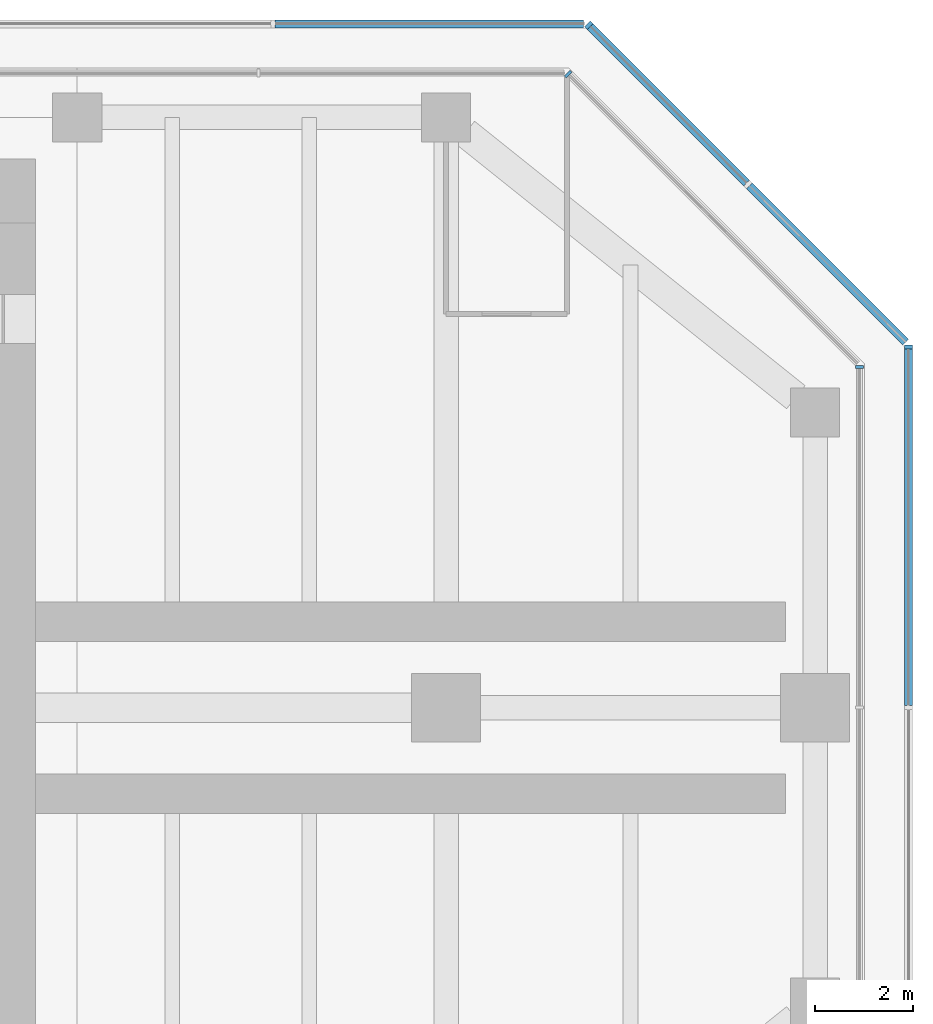
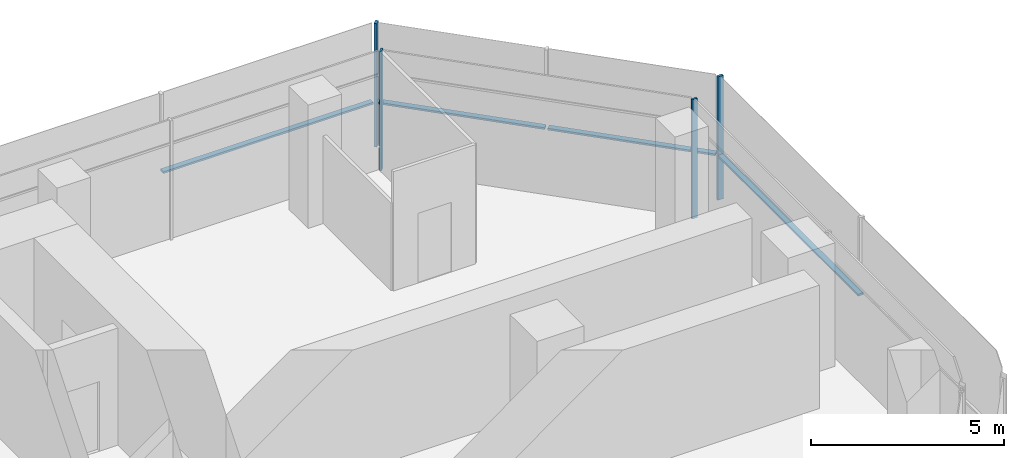
# One storey, part 8 of 15: 8 members, 5 elements without a shape of their own.
"""IFC4 building model written with IfcOpenShell, lengths in metres."""

from ifc_helpers import new_model, si_unit, direction, frame, origin, origin_2d, place, context, subcontext, project, spatial, rectangle, extrude, material, material_profile, profile_set, type_object, element, aggregate, save


model = new_model("IFC4")

# Units and contexts
model_context = context("Model", 3, precision=1e-05, world=origin(), true_north=direction((0.0, 1.0)))
body_context = subcontext(model_context, "Body", "Model", "MODEL_VIEW")
ifc_project = project(units=[si_unit("LENGTHUNIT", "METRE"), si_unit("AREAUNIT", "SQUARE_METRE"), si_unit("VOLUMEUNIT", "CUBIC_METRE"), si_unit("PLANEANGLEUNIT", "RADIAN"), si_unit("MASSUNIT", "GRAM", prefix="KILO")], contexts=[model_context])

# Site, building, storey
site_placement = place(None, origin())
site = spatial("IfcSite", under=ifc_project, at=site_placement, CompositionType="ELEMENT")
building_placement = place(site_placement, origin())
building = spatial("IfcBuilding", under=site, at=building_placement, Name="Mizan Broadcast Tower", CompositionType="ELEMENT")
storey_placement = place(building_placement, frame((0.0, 0.0, 286.800048828125)))
storey = spatial("IfcBuildingStorey", under=building, at=storey_placement, Name="L68", CompositionType="ELEMENT", Elevation=286.800048828125)

# Curtain wall, member
ifc_material_1 = material(Name="Aluminium framed glazing", Category="aluminium")
curtain_wall_type_1 = type_object("IfcCurtainWallType", Name="INNER SKIN TOP ZONE", PredefinedType="USERDEFINED", material=ifc_material_1)
curtain_wall_1_placement = place(storey_placement, origin())
curtain_wall_1 = element("IfcCurtainWall", 1, at=curtain_wall_1_placement, inside=storey, type_object=curtain_wall_type_1, Name="Inner skin top zone L68 E end", ObjectType="INNER SKIN TOP ZONE", PredefinedType="USERDEFINED")
ifc_material_2 = material(Name="Aluminium, pale anodised", Category="aluminium")
ifc_material_profile_1 = material_profile(ifc_material_2, rectangle(XDim=0.159912109375, YDim=0.06005859375, at=origin_2d()), Name="MULLION 160x60")
ifc_profile_set_1 = profile_set([ifc_material_profile_1], Name="Aluminium, pale anodised")
member_type_1 = type_object("IfcMemberType", Name="INNER SKIN MULLION 60x160", PredefinedType="MULLION", material=ifc_profile_set_1)
member_1_placement = place(storey_placement, frame((27.89990234375, 6.928466796875, 0.0), z_axis=(0.0, 0.0, 1.0), x_axis=(-1.0, 0.0, 0.0)))
member_1 = element("IfcMember", 2, at=member_1_placement, type_object=member_type_1, Name="Inner skin top zone L68 E end mullion 3", PredefinedType="MULLION", context=body_context, shape_type="SweptSolid", body=[
    extrude(rectangle(XDim=0.159912109375, YDim=0.06005859375, at=origin_2d()), origin(), (0.0, 0.0, 1.0), 3.77001953125),
])
aggregate(curtain_wall_1, [member_1])

curtain_wall_2_placement = place(storey_placement, origin())
curtain_wall_2 = element("IfcCurtainWall", 3, at=curtain_wall_2_placement, inside=storey, type_object=curtain_wall_type_1, Name="Inner skin top zone L68 E chamfer", ObjectType="INNER SKIN TOP ZONE", PredefinedType="USERDEFINED")
member_2_placement = place(storey_placement, frame((21.979736328125, 12.87890625, 0.0), z_axis=(0.0, 0.0, 1.0), x_axis=(-0.707106781187, -0.707106781187, 0.0)))
member_2 = element("IfcMember", 4, at=member_2_placement, type_object=member_type_1, Name="Inner skin top zone L68 E chamfer mullion 2", PredefinedType="MULLION", context=body_context, shape_type="SweptSolid", body=[
    extrude(rectangle(XDim=0.159912109375, YDim=0.06005859375, at=origin_2d()), origin(), (0.0, 0.0, 1.0), 3.77001953125),
])
aggregate(curtain_wall_2, [member_2])

ifc_material_3 = material(Name="Aluminium framed glazing", Category="aluminium")
curtain_wall_type_2 = type_object("IfcCurtainWallType", Name="OUTER SKIN", PredefinedType="USERDEFINED", material=ifc_material_3)
curtain_wall_3_placement = place(storey_placement, origin())
curtain_wall_3 = element("IfcCurtainWall", 5, at=curtain_wall_3_placement, inside=storey, type_object=curtain_wall_type_2, Name="Outer skin L68 E end", ObjectType="OUTER SKIN", PredefinedType="USERDEFINED")
ifc_material_4 = material(Name="Aluminium, pale anodised", Category="aluminium")
ifc_material_profile_2 = material_profile(ifc_material_4, rectangle(XDim=0.159912109375, YDim=0.080078125, at=origin_2d()), Name="MULLION 160x80")
ifc_profile_set_2 = profile_set([ifc_material_profile_2], Name="Aluminium, pale anodised")
member_type_2 = type_object("IfcMemberType", Name="OUTER SKIN MULLION 80x160", PredefinedType="MULLION", material=ifc_profile_set_2)
member_3_placement = place(storey_placement, frame((28.89990234375, 7.332763671875, 0.0), z_axis=(0.0, 0.0, 1.0), x_axis=(-1.0, 0.0, 0.0)))
member_3 = element("IfcMember", 6, at=member_3_placement, type_object=member_type_2, Name="Outer skin L68 E end mullion 3", PredefinedType="MULLION", context=body_context, shape_type="SweptSolid", body=[
    extrude(rectangle(XDim=0.159912109375, YDim=0.080078125, at=origin_2d()), origin(), (0.0, 0.0, 1.0), 3.89990234375),
])

curtain_wall_4_placement = place(storey_placement, origin())
curtain_wall_4 = element("IfcCurtainWall", 7, at=curtain_wall_4_placement, inside=storey, type_object=curtain_wall_type_2, Name="Outer skin L68 E chamfer", ObjectType="OUTER SKIN", PredefinedType="USERDEFINED")
member_4_placement = place(storey_placement, frame((22.401123046875, 13.871826171875, 0.0), z_axis=(0.0, 0.0, 1.0), x_axis=(-0.707106781187, -0.707106781187, 0.0)))
member_4 = element("IfcMember", 8, at=member_4_placement, type_object=member_type_2, Name="Outer skin L68 E chamfer mullion 3", PredefinedType="MULLION", context=body_context, shape_type="SweptSolid", body=[
    extrude(rectangle(XDim=0.159912109375, YDim=0.080078125, at=origin_2d()), origin(), (0.0, 0.0, 1.0), 3.89990234375),
])

# Member
ifc_material_5 = material(Name="Aluminium, pale anodised", Category="aluminium")
ifc_material_profile_3 = material_profile(ifc_material_5, rectangle(XDim=0.159912109375, YDim=0.06005859375, at=origin_2d()), Name="TRANSOM 160x60")
ifc_profile_set_3 = profile_set([ifc_material_profile_3], Name="Aluminium, pale anodised")
member_type_3 = type_object("IfcMemberType", Name="OUTER SKIN TRANSOM 60x160", PredefinedType="USERDEFINED", material=ifc_profile_set_3)
member_5_placement = place(storey_placement, frame((28.89990234375, 0.0400390625, 1.39990234375), z_axis=(0.0, 1.0, 0.0), x_axis=(-1.0, 0.0, 0.0)))
member_5 = element("IfcMember", 9, at=member_5_placement, type_object=member_type_3, Name="Outer skin L68 E end transom 2.1", ObjectType="TRANSOM", PredefinedType="USERDEFINED", context=body_context, shape_type="SweptSolid", body=[
    extrude(rectangle(XDim=0.159912109375, YDim=0.06005859375, at=origin_2d()), origin(), (0.0, 0.0, 1.0), 7.252685546875),
])

aggregate(curtain_wall_3, [member_3, member_5])

member_6_placement = place(storey_placement, frame((28.843505859375, 7.429443359375, 1.39990234375), z_axis=(-0.707106781187, 0.707106781187, 0.0), x_axis=(-0.707106781187, -0.707106781187, 0.0)))
member_6 = element("IfcMember", 10, at=member_6_placement, type_object=member_type_3, Name="Outer skin L68 E chamfer transom 1.1", ObjectType="TRANSOM", PredefinedType="USERDEFINED", context=body_context, shape_type="SweptSolid", body=[
    extrude(rectangle(XDim=0.159912109375, YDim=0.06005859375, at=origin_2d()), origin(), (0.0, 0.0, 1.0), 4.495361328125),
])

member_7_placement = place(storey_placement, frame((25.608154296875, 10.664794921875, 1.39990234375), z_axis=(-0.707106781187, 0.707106781187, 0.0), x_axis=(-0.707106781187, -0.707106781187, 0.0)))
member_7 = element("IfcMember", 11, at=member_7_placement, type_object=member_type_3, Name="Outer skin L68 E chamfer transom 2.1", ObjectType="TRANSOM", PredefinedType="USERDEFINED", context=body_context, shape_type="SweptSolid", body=[
    extrude(rectangle(XDim=0.159912109375, YDim=0.06005859375, at=origin_2d()), origin(), (0.0, 0.0, 1.0), 4.495361328125),
])

aggregate(curtain_wall_4, [member_4, member_6, member_7])

# Curtain wall, member
curtain_wall_5_placement = place(storey_placement, origin())
curtain_wall_5 = element("IfcCurtainWall", 12, at=curtain_wall_5_placement, inside=storey, type_object=curtain_wall_type_2, Name="Outer skin L68 N end", ObjectType="OUTER SKIN", PredefinedType="USERDEFINED")
member_8_placement = place(storey_placement, frame((22.292724609375, 13.89990234375, 1.39990234375), z_axis=(-1.0, 0.0, 0.0), x_axis=(0.0, -1.0, 0.0)))
member_8 = element("IfcMember", 13, at=member_8_placement, type_object=member_type_3, Name="Outer skin L68 N end transom 1.1", ObjectType="TRANSOM", PredefinedType="USERDEFINED", context=body_context, shape_type="SweptSolid", body=[
    extrude(rectangle(XDim=0.159912109375, YDim=0.06005859375, at=origin_2d()), origin(), (0.0, 0.0, 1.0), 6.272216796875),
])
aggregate(curtain_wall_5, [member_8])

save(model, "model.ifc")
